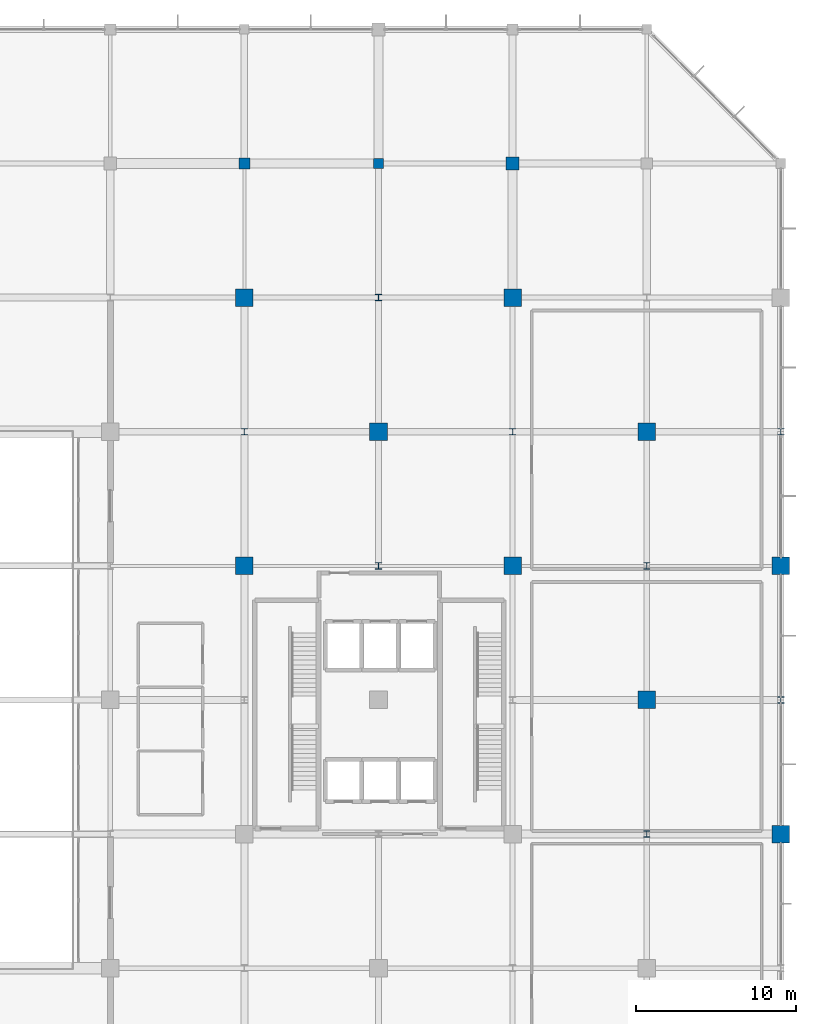
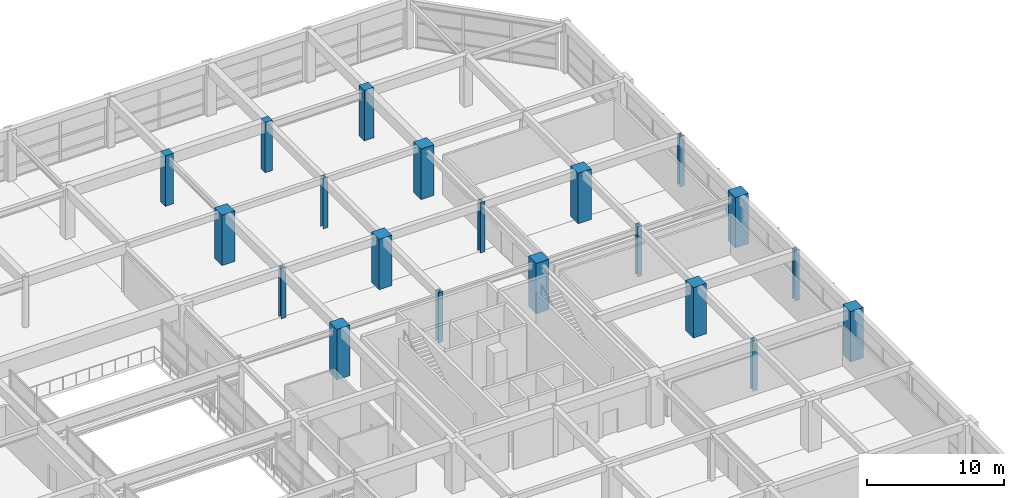
# One storey, part 8 of 62: 20 columns.
"""IFC4 building model written with IfcOpenShell, lengths in metres."""

from ifc_helpers import new_model, si_unit, direction, frame, origin, origin_2d, place, context, subcontext, project, spatial, rectangle, i_section, extrude, material, material_profile, profile_set, type_object, element, save


model = new_model("IFC4")

# Units and contexts
model_context = context("Model", 3, precision=1e-05, world=origin(), true_north=direction((0.0, 1.0)))
body_context = subcontext(model_context, "Body", "Model", "MODEL_VIEW")
ifc_project = project(units=[si_unit("LENGTHUNIT", "METRE"), si_unit("AREAUNIT", "SQUARE_METRE"), si_unit("VOLUMEUNIT", "CUBIC_METRE"), si_unit("PLANEANGLEUNIT", "RADIAN"), si_unit("MASSUNIT", "GRAM", prefix="KILO")], contexts=[model_context])

# Site, building, storey
site_placement = place(None, origin())
site = spatial("IfcSite", under=ifc_project, at=site_placement, CompositionType="ELEMENT")
building_placement = place(site_placement, origin())
building = spatial("IfcBuilding", under=site, at=building_placement, Name="Xuanlan Plaza Opera House", CompositionType="ELEMENT")
storey_placement = place(building_placement, frame((0.0, 0.0, 14.39990234375)))
storey = spatial("IfcBuildingStorey", under=building, at=storey_placement, Name="L03", CompositionType="ELEMENT", Elevation=14.39990234375)

# Columns
ifc_material_1 = material(Name="Concrete C50", Category="concrete")
ifc_material_profile_1 = material_profile(ifc_material_1, rectangle(XDim=1.10009765625, YDim=1.10009765625, at=origin_2d()), Name="RC-COL 1100x1100")
ifc_profile_set_1 = profile_set([ifc_material_profile_1], Name="Concrete C50")
column_type_1 = type_object("IfcColumnType", Name="STR-COL-C-03", PredefinedType="COLUMN", material=ifc_profile_set_1)
for number, where, z_axis, x_axis, name in (
    (1, (134.39990234375, 67.199951171875, 0.0), (0.0, 0.0, 1.0), (1.0, 0.0, 0.0), "Column L03 17-I"),
    (2, (134.39990234375, 84.0, 0.0), (0.0, 0.0, 1.0), (1.0, 0.0, 0.0), "Column L03 17-K"),
    (3, (142.800048828125, 75.60009765625, 0.0), (0.0, 0.0, 1.0), (1.0, 0.0, 0.0), "Column L03 18-J"),
    (4, (151.199951171875, 67.199951171875, 0.0), (0.0, 0.0, 1.0), (1.0, 0.0, 0.0), "Column L03 19-I"),
    (5, (151.199951171875, 84.0, 0.0), (0.0, 0.0, 1.0), (1.0, 0.0, 0.0), "Column L03 19-K"),
    (6, (159.60009765625, 58.800048828125, 0.0), (0.0, 0.0, 1.0), (1.0, 0.0, 0.0), "Column L03 20-H"),
    (7, (159.60009765625, 75.60009765625, 0.0), (0.0, 0.0, 1.0), (1.0, 0.0, 0.0), "Column L03 20-J"),
    (8, (168.0, 50.39990234375, 0.0), (0.0, 0.0, 1.0), (1.0, 0.0, 0.0), "Column L03 21-G"),
    (9, (168.0, 67.199951171875, 0.0), (0.0, 0.0, 1.0), (1.0, 0.0, 0.0), "Column L03 21-I"),
):
    element("IfcColumn", number, at=place(storey_placement, frame(where, z_axis=z_axis, x_axis=x_axis)), inside=storey, type_object=column_type_1, Name=name, PredefinedType="COLUMN", context=body_context, shape_type="SweptSolid", body=[
        extrude(rectangle(XDim=1.10009765625, YDim=1.10009765625, at=origin_2d()), origin(), (0.0, 0.0, 1.0), 4.5),
    ])
ifc_material_2 = material(Name="Concrete C40", Category="concrete")
ifc_material_profile_2 = material_profile(ifc_material_2, rectangle(XDim=0.800048828125, YDim=0.800048828125, at=origin_2d()), Name="RC-COL 800x800")
ifc_profile_set_2 = profile_set([ifc_material_profile_2], Name="Concrete C40")
column_type_2 = type_object("IfcColumnType", Name="STR-COL-C-06", PredefinedType="COLUMN", material=ifc_profile_set_2)
column_1_placement = place(storey_placement, frame((151.199951171875, 92.39990234375, 0.0), z_axis=(0.0, 0.0, 1.0), x_axis=(1.0, 0.0, 0.0)))
element("IfcColumn", 10, at=column_1_placement, inside=storey, type_object=column_type_2, Name="Column L03 19-L", PredefinedType="COLUMN", context=body_context, shape_type="SweptSolid", body=[
    extrude(rectangle(XDim=0.800048828125, YDim=0.800048828125, at=origin_2d()), origin(), (0.0, 0.0, 1.0), 4.5),
])
ifc_material_profile_3 = material_profile(ifc_material_2, rectangle(XDim=0.699951171875, YDim=0.699951171875, at=origin_2d()), Name="RC-COL 700x700")
ifc_profile_set_3 = profile_set([ifc_material_profile_3], Name="Concrete C40")
column_type_3 = type_object("IfcColumnType", Name="STR-COL-C-07", PredefinedType="COLUMN", material=ifc_profile_set_3)
column_2_placement = place(storey_placement, frame((134.39990234375, 92.39990234375, 0.0), z_axis=(0.0, 0.0, 1.0), x_axis=(1.0, 0.0, 0.0)))
element("IfcColumn", 11, at=column_2_placement, inside=storey, type_object=column_type_3, Name="Column L03 17-L", PredefinedType="COLUMN", context=body_context, shape_type="SweptSolid", body=[
    extrude(rectangle(XDim=0.699951171875, YDim=0.699951171875, at=origin_2d()), origin(), (0.0, 0.0, 1.0), 4.5),
])
ifc_material_profile_4 = material_profile(ifc_material_2, rectangle(XDim=0.60009765625, YDim=0.60009765625, at=origin_2d()), Name="RC-COL 600x600")
ifc_profile_set_4 = profile_set([ifc_material_profile_4], Name="Concrete C40")
column_type_4 = type_object("IfcColumnType", Name="STR-COL-C-08", PredefinedType="COLUMN", material=ifc_profile_set_4)
column_3_placement = place(storey_placement, frame((142.800048828125, 92.39990234375, 0.0), z_axis=(0.0, 0.0, 1.0), x_axis=(1.0, 0.0, 0.0)))
element("IfcColumn", 12, at=column_3_placement, inside=storey, type_object=column_type_4, Name="Column L03 18-L", PredefinedType="COLUMN", context=body_context, shape_type="SweptSolid", body=[
    extrude(rectangle(XDim=0.60009765625, YDim=0.60009765625, at=origin_2d()), origin(), (0.0, 0.0, 1.0), 4.5),
])
ifc_material_3 = material(Name="Steel Q355B", Category="steel")
ifc_material_profile_5 = material_profile(ifc_material_3, i_section(OverallWidth=0.39990234375, OverallDepth=0.39990234375, WebThickness=0.012939453125, FlangeThickness=0.02099609375, FilletRadius=0.02197265625, at=origin_2d()), Name="HW 400x400x13x21")
ifc_profile_set_5 = profile_set([ifc_material_profile_5], Name="Steel Q355B")
column_type_5 = type_object("IfcColumnType", Name="STR-COL-C-14", PredefinedType="COLUMN", material=ifc_profile_set_5)
for number, where, z_axis, x_axis, name in (
    (13, (134.39990234375, 75.60009765625, 0.0), (0.0, 0.0, 1.0), (1.0, 0.0, 0.0), "Column L03 17-J"),
    (14, (142.800048828125, 67.199951171875, 0.0), (0.0, 0.0, 1.0), (1.0, 0.0, 0.0), "Column L03 18-I"),
    (15, (142.800048828125, 84.0, 0.0), (0.0, 0.0, 1.0), (1.0, 0.0, 0.0), "Column L03 18-K"),
    (16, (151.199951171875, 75.60009765625, 0.0), (0.0, 0.0, 1.0), (1.0, 0.0, 0.0), "Column L03 19-J"),
    (17, (159.60009765625, 50.39990234375, 0.0), (0.0, 0.0, 1.0), (1.0, 0.0, 0.0), "Column L03 20-G"),
    (18, (159.60009765625, 67.199951171875, 0.0), (0.0, 0.0, 1.0), (1.0, 0.0, 0.0), "Column L03 20-I"),
    (19, (168.0, 58.800048828125, 0.0), (0.0, 0.0, 1.0), (1.0, 0.0, 0.0), "Column L03 21-H"),
    (20, (168.0, 75.60009765625, 0.0), (0.0, 0.0, 1.0), (1.0, 0.0, 0.0), "Column L03 21-J"),
):
    element("IfcColumn", number, at=place(storey_placement, frame(where, z_axis=z_axis, x_axis=x_axis)), inside=storey, type_object=column_type_5, Name=name, PredefinedType="COLUMN", context=body_context, shape_type="SweptSolid", body=[
        extrude(i_section(OverallWidth=0.39990234375, OverallDepth=0.39990234375, WebThickness=0.012939453125, FlangeThickness=0.02099609375, FilletRadius=0.02197265625, at=origin_2d()), origin(), (0.0, 0.0, 1.0), 4.5),
    ])

save(model, "model.ifc")
